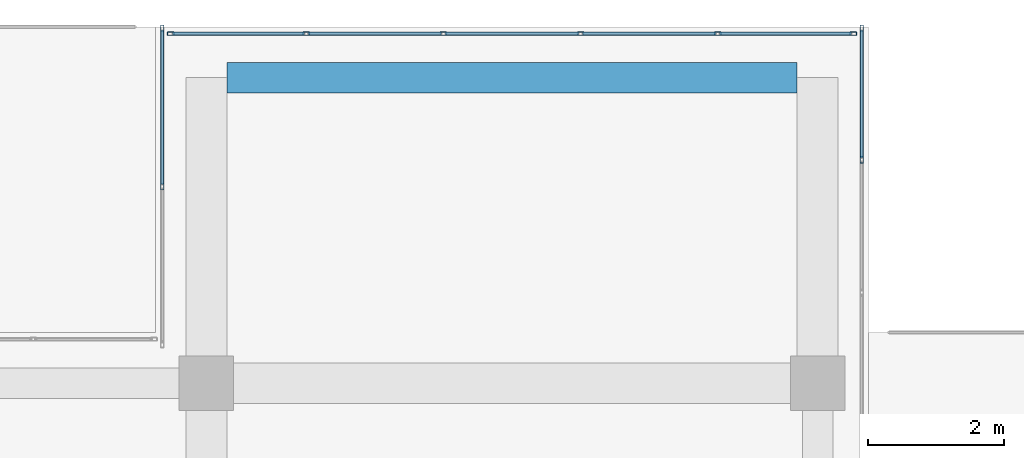
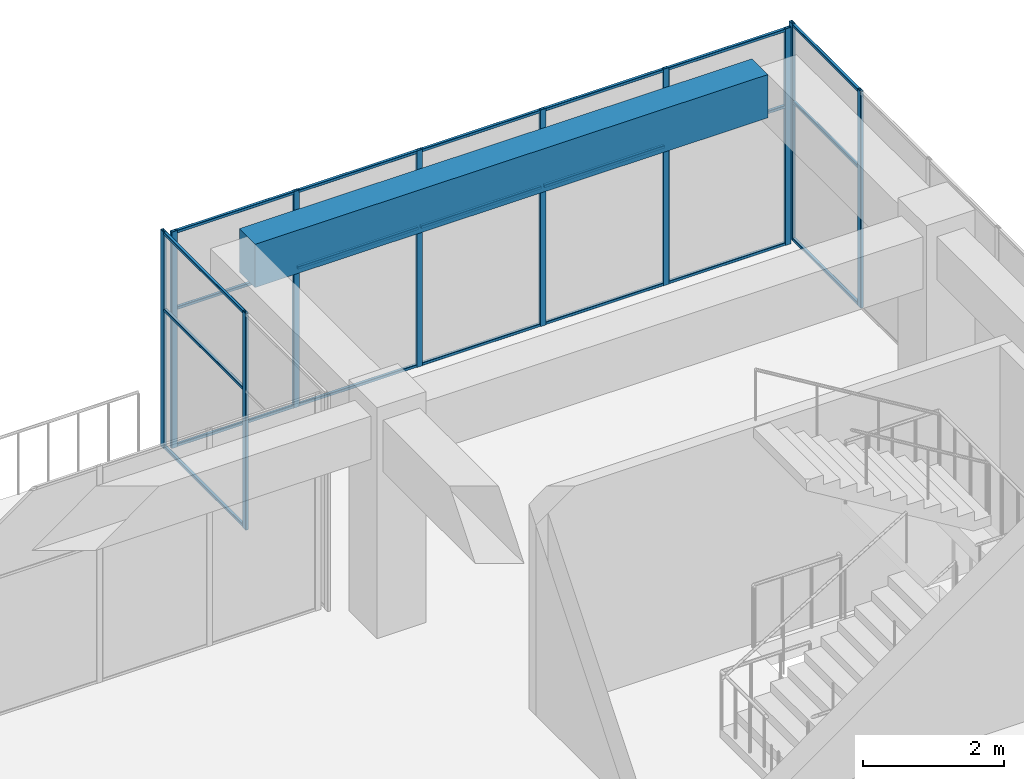
# One storey, part 52 of 81: 31 members, 1 beam, 3 elements without a shape of their own.
"""IFC4 building model written with IfcOpenShell, lengths in metres."""

from ifc_helpers import new_model, si_unit, direction, frame, origin, origin_2d, place, context, subcontext, project, spatial, rectangle, hollow_rectangle, extrude, material, layer, layer_set, material_profile, profile_set, type_object, element, aggregate, save


model = new_model("IFC4")

# Units and contexts
model_context = context("Model", 3, precision=1e-05, world=origin(), true_north=direction((0.0, 1.0)))
body_context = subcontext(model_context, "Body", "Model", "MODEL_VIEW")
ifc_project = project(units=[si_unit("LENGTHUNIT", "METRE"), si_unit("AREAUNIT", "SQUARE_METRE"), si_unit("VOLUMEUNIT", "CUBIC_METRE"), si_unit("PLANEANGLEUNIT", "RADIAN"), si_unit("MASSUNIT", "GRAM", prefix="KILO")], contexts=[model_context])

# Site, building, storey
site_placement = place(None, origin())
site = spatial("IfcSite", under=ifc_project, at=site_placement, CompositionType="ELEMENT")
building_placement = place(site_placement, origin())
building = spatial("IfcBuilding", under=site, at=building_placement, Name="Tuart Plaza Theatre", CompositionType="ELEMENT")
storey_placement = place(building_placement, frame((0.0, 0.0, 17.5)))
storey = spatial("IfcBuildingStorey", under=building, at=storey_placement, Name="L04", CompositionType="ELEMENT", Elevation=17.5)

# Beam
ifc_material_1 = material(Name="Concrete N40 (40 MPa)", Category="concrete")
ifc_material_profile_1 = material_profile(ifc_material_1, rectangle(XDim=0.449951171875, YDim=0.75, at=origin_2d()), Name="BEAM 450x750 Concrete N40 (40 MPa)")
ifc_profile_set_1 = profile_set([ifc_material_profile_1], Name="Concrete N40 (40 MPa)")
beam_type = type_object("IfcBeamType", Name="BEAM 450x750 Concrete N40 (40 MPa)", PredefinedType="BEAM", material=ifc_profile_set_1)
beam_placement = place(storey_placement, frame((132.300048828125, 96.5, 3.375), z_axis=(1.0, 0.0, 0.0), x_axis=(0.0, 1.0, 0.0)))
element("IfcBeam", 1, at=beam_placement, inside=storey, type_object=beam_type, Name="RB227", PredefinedType="BEAM", context=body_context, shape_type="SweptSolid", body=[
    extrude(rectangle(XDim=0.449951171875, YDim=0.75, at=origin_2d()), origin(), (0.0, 0.0, 1.0), 8.39990234375),
])

# Curtain wall, members
ifc_material_2 = material(Name="Aluminium and glass", Category="aluminium")
ifc_layer = layer(ifc_material_2, 0.10009765625)
ifc_layer_set = layer_set([ifc_layer], Name="CURTAIN WALL 2000 module")
curtain_wall_type = type_object("IfcCurtainWallType", Name="CURTAIN WALL 2000 module", PredefinedType="NOTDEFINED", material=ifc_layer_set)
curtain_wall_1_placement = place(storey_placement, origin())
curtain_wall_1 = element("IfcCurtainWall", 2, at=curtain_wall_1_placement, inside=storey, type_object=curtain_wall_type, Name="CW81", PredefinedType="NOTDEFINED")
ifc_material_3 = material(Name="Aluminium 6063-T5", Category="aluminium")
ifc_material_profile_2 = material_profile(ifc_material_3, hollow_rectangle(XDim=0.050048828125, YDim=0.10009765625, WallThickness=0.00390625, InnerFilletRadius=0.00390625, OuterFilletRadius=0.008056640625, at=origin_2d()), Name="RHS 100x50x4")
ifc_profile_set_2 = profile_set([ifc_material_profile_2], Name="Aluminium 6063-T5")
member_type_1 = type_object("IfcMemberType", Name="MULLION RHS 100x50x4", PredefinedType="MULLION", material=ifc_profile_set_2)
member_1_placement = place(storey_placement, frame((141.64990234375, 95.29296875, 0.0), z_axis=(0.0, 0.0, 1.0), x_axis=(-1.0, 0.0, 0.0)))
member_1 = element("IfcMember", 3, at=member_1_placement, type_object=member_type_1, Name="CW81 mullion 7", PredefinedType="MULLION", context=body_context, shape_type="SweptSolid", body=[
    extrude(hollow_rectangle(XDim=0.050048828125, YDim=0.10009765625, WallThickness=0.00390625, InnerFilletRadius=0.00390625, OuterFilletRadius=0.008056640625, at=origin_2d()), origin(), (0.0, 0.0, 1.0), 3.75),
])
member_2_placement = place(storey_placement, frame((141.64990234375, 97.22509765625, 0.0), z_axis=(0.0, 0.0, 1.0), x_axis=(-1.0, 0.0, 0.0)))
member_2 = element("IfcMember", 4, at=member_2_placement, type_object=member_type_1, Name="CW81 mullion 8", PredefinedType="MULLION", context=body_context, shape_type="SweptSolid", body=[
    extrude(hollow_rectangle(XDim=0.050048828125, YDim=0.10009765625, WallThickness=0.00390625, InnerFilletRadius=0.00390625, OuterFilletRadius=0.008056640625, at=origin_2d()), origin(), (0.0, 0.0, 1.0), 3.75),
])

curtain_wall_2_placement = place(storey_placement, origin())
curtain_wall_2 = element("IfcCurtainWall", 5, at=curtain_wall_2_placement, inside=storey, type_object=curtain_wall_type, Name="CW82", PredefinedType="NOTDEFINED")
member_3_placement = place(storey_placement, frame((141.52490234375, 97.14990234375, 0.0), z_axis=(0.0, 0.0, 1.0), x_axis=(0.0, -1.0, 0.0)))
member_3 = element("IfcMember", 6, at=member_3_placement, type_object=member_type_1, Name="CW82 mullion 1", PredefinedType="MULLION", context=body_context, shape_type="SweptSolid", body=[
    extrude(hollow_rectangle(XDim=0.050048828125, YDim=0.10009765625, WallThickness=0.00390625, InnerFilletRadius=0.00390625, OuterFilletRadius=0.008056640625, at=origin_2d()), origin(), (0.0, 0.0, 1.0), 3.75),
])
member_4_placement = place(storey_placement, frame((139.530029296875, 97.14990234375, 0.0), z_axis=(0.0, 0.0, 1.0), x_axis=(0.0, -1.0, 0.0)))
member_4 = element("IfcMember", 7, at=member_4_placement, type_object=member_type_1, Name="CW82 mullion 2", PredefinedType="MULLION", context=body_context, shape_type="SweptSolid", body=[
    extrude(hollow_rectangle(XDim=0.050048828125, YDim=0.10009765625, WallThickness=0.00390625, InnerFilletRadius=0.00390625, OuterFilletRadius=0.008056640625, at=origin_2d()), origin(), (0.0, 0.0, 1.0), 3.75),
])
member_5_placement = place(storey_placement, frame((137.510009765625, 97.14990234375, 0.0), z_axis=(0.0, 0.0, 1.0), x_axis=(0.0, -1.0, 0.0)))
member_5 = element("IfcMember", 8, at=member_5_placement, type_object=member_type_1, Name="CW82 mullion 3", PredefinedType="MULLION", context=body_context, shape_type="SweptSolid", body=[
    extrude(hollow_rectangle(XDim=0.050048828125, YDim=0.10009765625, WallThickness=0.00390625, InnerFilletRadius=0.00390625, OuterFilletRadius=0.008056640625, at=origin_2d()), origin(), (0.0, 0.0, 1.0), 3.75),
])
member_6_placement = place(storey_placement, frame((135.489990234375, 97.14990234375, 0.0), z_axis=(0.0, 0.0, 1.0), x_axis=(0.0, -1.0, 0.0)))
member_6 = element("IfcMember", 9, at=member_6_placement, type_object=member_type_1, Name="CW82 mullion 4", PredefinedType="MULLION", context=body_context, shape_type="SweptSolid", body=[
    extrude(hollow_rectangle(XDim=0.050048828125, YDim=0.10009765625, WallThickness=0.00390625, InnerFilletRadius=0.00390625, OuterFilletRadius=0.008056640625, at=origin_2d()), origin(), (0.0, 0.0, 1.0), 3.75),
])
member_7_placement = place(storey_placement, frame((133.469970703125, 97.14990234375, 0.0), z_axis=(0.0, 0.0, 1.0), x_axis=(0.0, -1.0, 0.0)))
member_7 = element("IfcMember", 10, at=member_7_placement, type_object=member_type_1, Name="CW82 mullion 5", PredefinedType="MULLION", context=body_context, shape_type="SweptSolid", body=[
    extrude(hollow_rectangle(XDim=0.050048828125, YDim=0.10009765625, WallThickness=0.00390625, InnerFilletRadius=0.00390625, OuterFilletRadius=0.008056640625, at=origin_2d()), origin(), (0.0, 0.0, 1.0), 3.75),
])
member_8_placement = place(storey_placement, frame((131.47509765625, 97.14990234375, 0.0), z_axis=(0.0, 0.0, 1.0), x_axis=(0.0, -1.0, 0.0)))
member_8 = element("IfcMember", 11, at=member_8_placement, type_object=member_type_1, Name="CW82 mullion 6", PredefinedType="MULLION", context=body_context, shape_type="SweptSolid", body=[
    extrude(hollow_rectangle(XDim=0.050048828125, YDim=0.10009765625, WallThickness=0.00390625, InnerFilletRadius=0.00390625, OuterFilletRadius=0.008056640625, at=origin_2d()), origin(), (0.0, 0.0, 1.0), 3.75),
])

curtain_wall_3_placement = place(storey_placement, origin())
curtain_wall_3 = element("IfcCurtainWall", 12, at=curtain_wall_3_placement, inside=storey, type_object=curtain_wall_type, Name="CW83", PredefinedType="NOTDEFINED")
member_9_placement = place(storey_placement, frame((131.35009765625, 97.22509765625, 0.0), z_axis=(0.0, 0.0, 1.0), x_axis=(1.0, 0.0, 0.0)))
member_9 = element("IfcMember", 13, at=member_9_placement, type_object=member_type_1, Name="CW83 mullion 1", PredefinedType="MULLION", context=body_context, shape_type="SweptSolid", body=[
    extrude(hollow_rectangle(XDim=0.050048828125, YDim=0.10009765625, WallThickness=0.00390625, InnerFilletRadius=0.00390625, OuterFilletRadius=0.008056640625, at=origin_2d()), origin(), (0.0, 0.0, 1.0), 3.75),
])
member_10_placement = place(storey_placement, frame((131.35009765625, 94.89990234375, 0.0), z_axis=(0.0, 0.0, 1.0), x_axis=(1.0, 0.0, 0.0)))
member_10 = element("IfcMember", 14, at=member_10_placement, type_object=member_type_1, Name="CW83 mullion 2", PredefinedType="MULLION", context=body_context, shape_type="SweptSolid", body=[
    extrude(hollow_rectangle(XDim=0.050048828125, YDim=0.10009765625, WallThickness=0.00390625, InnerFilletRadius=0.00390625, OuterFilletRadius=0.008056640625, at=origin_2d()), origin(), (0.0, 0.0, 1.0), 3.75),
])

# Member
ifc_material_4 = material(Name="Aluminium 6063-T5", Category="aluminium")
ifc_material_profile_3 = material_profile(ifc_material_4, hollow_rectangle(XDim=0.050048828125, YDim=0.050048828125, WallThickness=0.00390625, InnerFilletRadius=0.00390625, OuterFilletRadius=0.008056640625, at=origin_2d()), Name="RHS 50x50x4")
ifc_profile_set_3 = profile_set([ifc_material_profile_3], Name="Aluminium 6063-T5")
member_type_2 = type_object("IfcMemberType", Name="TRANSOM RHS 50x50x4", PredefinedType="USERDEFINED", material=ifc_profile_set_3)
member_11_placement = place(storey_placement, frame((141.64990234375, 95.31787109375, 0.02490234375), z_axis=(0.0, 1.0, 0.0), x_axis=(-1.0, 0.0, 0.0)))
member_11 = element("IfcMember", 15, at=member_11_placement, type_object=member_type_2, Name="CW81 transom 7.1", ObjectType="TRANSOM", PredefinedType="USERDEFINED", context=body_context, shape_type="SweptSolid", body=[
    extrude(hollow_rectangle(XDim=0.050048828125, YDim=0.050048828125, WallThickness=0.00390625, InnerFilletRadius=0.00390625, OuterFilletRadius=0.008056640625, at=origin_2d()), origin(), (0.0, 0.0, 1.0), 1.882080078125),
])

member_12_placement = place(storey_placement, frame((141.64990234375, 95.31787109375, 2.39990234375), z_axis=(0.0, 1.0, 0.0), x_axis=(-1.0, 0.0, 0.0)))
member_12 = element("IfcMember", 16, at=member_12_placement, type_object=member_type_2, Name="CW81 transom 7.2", ObjectType="TRANSOM", PredefinedType="USERDEFINED", context=body_context, shape_type="SweptSolid", body=[
    extrude(hollow_rectangle(XDim=0.050048828125, YDim=0.050048828125, WallThickness=0.00390625, InnerFilletRadius=0.00390625, OuterFilletRadius=0.008056640625, at=origin_2d()), origin(), (0.0, 0.0, 1.0), 1.882080078125),
])

member_13_placement = place(storey_placement, frame((141.64990234375, 95.31787109375, 3.72509765625), z_axis=(0.0, 1.0, 0.0), x_axis=(-1.0, 0.0, 0.0)))
member_13 = element("IfcMember", 17, at=member_13_placement, type_object=member_type_2, Name="CW81 transom 7.3", ObjectType="TRANSOM", PredefinedType="USERDEFINED", context=body_context, shape_type="SweptSolid", body=[
    extrude(hollow_rectangle(XDim=0.050048828125, YDim=0.050048828125, WallThickness=0.00390625, InnerFilletRadius=0.00390625, OuterFilletRadius=0.008056640625, at=origin_2d()), origin(), (0.0, 0.0, 1.0), 1.882080078125),
])

aggregate(curtain_wall_1, [member_1, member_2, member_11, member_12, member_13])

member_14_placement = place(storey_placement, frame((141.5, 97.14990234375, 0.02490234375), z_axis=(-1.0, 0.0, 0.0), x_axis=(0.0, -1.0, 0.0)))
member_14 = element("IfcMember", 18, at=member_14_placement, type_object=member_type_2, Name="CW82 transom 1.1", ObjectType="TRANSOM", PredefinedType="USERDEFINED", context=body_context, shape_type="SweptSolid", body=[
    extrude(hollow_rectangle(XDim=0.050048828125, YDim=0.050048828125, WallThickness=0.00390625, InnerFilletRadius=0.00390625, OuterFilletRadius=0.008056640625, at=origin_2d()), origin(), (0.0, 0.0, 1.0), 1.945068359375),
])

member_15_placement = place(storey_placement, frame((141.5, 97.14990234375, 2.39990234375), z_axis=(-1.0, 0.0, 0.0), x_axis=(0.0, -1.0, 0.0)))
member_15 = element("IfcMember", 19, at=member_15_placement, type_object=member_type_2, Name="CW82 transom 1.2", ObjectType="TRANSOM", PredefinedType="USERDEFINED", context=body_context, shape_type="SweptSolid", body=[
    extrude(hollow_rectangle(XDim=0.050048828125, YDim=0.050048828125, WallThickness=0.00390625, InnerFilletRadius=0.00390625, OuterFilletRadius=0.008056640625, at=origin_2d()), origin(), (0.0, 0.0, 1.0), 1.945068359375),
])

member_16_placement = place(storey_placement, frame((141.5, 97.14990234375, 3.72509765625), z_axis=(-1.0, 0.0, 0.0), x_axis=(0.0, -1.0, 0.0)))
member_16 = element("IfcMember", 20, at=member_16_placement, type_object=member_type_2, Name="CW82 transom 1.3", ObjectType="TRANSOM", PredefinedType="USERDEFINED", context=body_context, shape_type="SweptSolid", body=[
    extrude(hollow_rectangle(XDim=0.050048828125, YDim=0.050048828125, WallThickness=0.00390625, InnerFilletRadius=0.00390625, OuterFilletRadius=0.008056640625, at=origin_2d()), origin(), (0.0, 0.0, 1.0), 1.945068359375),
])

member_17_placement = place(storey_placement, frame((139.5048828125, 97.14990234375, 0.02490234375), z_axis=(-1.0, 0.0, 0.0), x_axis=(0.0, -1.0, 0.0)))
member_17 = element("IfcMember", 21, at=member_17_placement, type_object=member_type_2, Name="CW82 transom 2.1", ObjectType="TRANSOM", PredefinedType="USERDEFINED", context=body_context, shape_type="SweptSolid", body=[
    extrude(hollow_rectangle(XDim=0.050048828125, YDim=0.050048828125, WallThickness=0.00390625, InnerFilletRadius=0.00390625, OuterFilletRadius=0.008056640625, at=origin_2d()), origin(), (0.0, 0.0, 1.0), 1.969970703125),
])

member_18_placement = place(storey_placement, frame((139.5048828125, 97.14990234375, 2.39990234375), z_axis=(-1.0, 0.0, 0.0), x_axis=(0.0, -1.0, 0.0)))
member_18 = element("IfcMember", 22, at=member_18_placement, type_object=member_type_2, Name="CW82 transom 2.2", ObjectType="TRANSOM", PredefinedType="USERDEFINED", context=body_context, shape_type="SweptSolid", body=[
    extrude(hollow_rectangle(XDim=0.050048828125, YDim=0.050048828125, WallThickness=0.00390625, InnerFilletRadius=0.00390625, OuterFilletRadius=0.008056640625, at=origin_2d()), origin(), (0.0, 0.0, 1.0), 1.969970703125),
])

member_19_placement = place(storey_placement, frame((139.5048828125, 97.14990234375, 3.72509765625), z_axis=(-1.0, 0.0, 0.0), x_axis=(0.0, -1.0, 0.0)))
member_19 = element("IfcMember", 23, at=member_19_placement, type_object=member_type_2, Name="CW82 transom 2.3", ObjectType="TRANSOM", PredefinedType="USERDEFINED", context=body_context, shape_type="SweptSolid", body=[
    extrude(hollow_rectangle(XDim=0.050048828125, YDim=0.050048828125, WallThickness=0.00390625, InnerFilletRadius=0.00390625, OuterFilletRadius=0.008056640625, at=origin_2d()), origin(), (0.0, 0.0, 1.0), 1.969970703125),
])

member_20_placement = place(storey_placement, frame((137.485107421875, 97.14990234375, 0.02490234375), z_axis=(-1.0, 0.0, 0.0), x_axis=(0.0, -1.0, 0.0)))
member_20 = element("IfcMember", 24, at=member_20_placement, type_object=member_type_2, Name="CW82 transom 3.1", ObjectType="TRANSOM", PredefinedType="USERDEFINED", context=body_context, shape_type="SweptSolid", body=[
    extrude(hollow_rectangle(XDim=0.050048828125, YDim=0.050048828125, WallThickness=0.00390625, InnerFilletRadius=0.00390625, OuterFilletRadius=0.008056640625, at=origin_2d()), origin(), (0.0, 0.0, 1.0), 1.97021484375),
])

member_21_placement = place(storey_placement, frame((137.485107421875, 97.14990234375, 2.39990234375), z_axis=(-1.0, 0.0, 0.0), x_axis=(0.0, -1.0, 0.0)))
member_21 = element("IfcMember", 25, at=member_21_placement, type_object=member_type_2, Name="CW82 transom 3.2", ObjectType="TRANSOM", PredefinedType="USERDEFINED", context=body_context, shape_type="SweptSolid", body=[
    extrude(hollow_rectangle(XDim=0.050048828125, YDim=0.050048828125, WallThickness=0.00390625, InnerFilletRadius=0.00390625, OuterFilletRadius=0.008056640625, at=origin_2d()), origin(), (0.0, 0.0, 1.0), 1.97021484375),
])

member_22_placement = place(storey_placement, frame((137.485107421875, 97.14990234375, 3.72509765625), z_axis=(-1.0, 0.0, 0.0), x_axis=(0.0, -1.0, 0.0)))
member_22 = element("IfcMember", 26, at=member_22_placement, type_object=member_type_2, Name="CW82 transom 3.3", ObjectType="TRANSOM", PredefinedType="USERDEFINED", context=body_context, shape_type="SweptSolid", body=[
    extrude(hollow_rectangle(XDim=0.050048828125, YDim=0.050048828125, WallThickness=0.00390625, InnerFilletRadius=0.00390625, OuterFilletRadius=0.008056640625, at=origin_2d()), origin(), (0.0, 0.0, 1.0), 1.97021484375),
])

member_23_placement = place(storey_placement, frame((135.465087890625, 97.14990234375, 0.02490234375), z_axis=(-1.0, 0.0, 0.0), x_axis=(0.0, -1.0, 0.0)))
member_23 = element("IfcMember", 27, at=member_23_placement, type_object=member_type_2, Name="CW82 transom 4.1", ObjectType="TRANSOM", PredefinedType="USERDEFINED", context=body_context, shape_type="SweptSolid", body=[
    extrude(hollow_rectangle(XDim=0.050048828125, YDim=0.050048828125, WallThickness=0.00390625, InnerFilletRadius=0.00390625, OuterFilletRadius=0.008056640625, at=origin_2d()), origin(), (0.0, 0.0, 1.0), 1.969970703125),
])

member_24_placement = place(storey_placement, frame((135.465087890625, 97.14990234375, 2.39990234375), z_axis=(-1.0, 0.0, 0.0), x_axis=(0.0, -1.0, 0.0)))
member_24 = element("IfcMember", 28, at=member_24_placement, type_object=member_type_2, Name="CW82 transom 4.2", ObjectType="TRANSOM", PredefinedType="USERDEFINED", context=body_context, shape_type="SweptSolid", body=[
    extrude(hollow_rectangle(XDim=0.050048828125, YDim=0.050048828125, WallThickness=0.00390625, InnerFilletRadius=0.00390625, OuterFilletRadius=0.008056640625, at=origin_2d()), origin(), (0.0, 0.0, 1.0), 1.969970703125),
])

member_25_placement = place(storey_placement, frame((135.465087890625, 97.14990234375, 3.72509765625), z_axis=(-1.0, 0.0, 0.0), x_axis=(0.0, -1.0, 0.0)))
member_25 = element("IfcMember", 29, at=member_25_placement, type_object=member_type_2, Name="CW82 transom 4.3", ObjectType="TRANSOM", PredefinedType="USERDEFINED", context=body_context, shape_type="SweptSolid", body=[
    extrude(hollow_rectangle(XDim=0.050048828125, YDim=0.050048828125, WallThickness=0.00390625, InnerFilletRadius=0.00390625, OuterFilletRadius=0.008056640625, at=origin_2d()), origin(), (0.0, 0.0, 1.0), 1.969970703125),
])

member_26_placement = place(storey_placement, frame((133.445068359375, 97.14990234375, 0.02490234375), z_axis=(-1.0, 0.0, 0.0), x_axis=(0.0, -1.0, 0.0)))
member_26 = element("IfcMember", 30, at=member_26_placement, type_object=member_type_2, Name="CW82 transom 5.1", ObjectType="TRANSOM", PredefinedType="USERDEFINED", context=body_context, shape_type="SweptSolid", body=[
    extrude(hollow_rectangle(XDim=0.050048828125, YDim=0.050048828125, WallThickness=0.00390625, InnerFilletRadius=0.00390625, OuterFilletRadius=0.008056640625, at=origin_2d()), origin(), (0.0, 0.0, 1.0), 1.945068359375),
])

member_27_placement = place(storey_placement, frame((133.445068359375, 97.14990234375, 2.39990234375), z_axis=(-1.0, 0.0, 0.0), x_axis=(0.0, -1.0, 0.0)))
member_27 = element("IfcMember", 31, at=member_27_placement, type_object=member_type_2, Name="CW82 transom 5.2", ObjectType="TRANSOM", PredefinedType="USERDEFINED", context=body_context, shape_type="SweptSolid", body=[
    extrude(hollow_rectangle(XDim=0.050048828125, YDim=0.050048828125, WallThickness=0.00390625, InnerFilletRadius=0.00390625, OuterFilletRadius=0.008056640625, at=origin_2d()), origin(), (0.0, 0.0, 1.0), 1.945068359375),
])

member_28_placement = place(storey_placement, frame((133.445068359375, 97.14990234375, 3.72509765625), z_axis=(-1.0, 0.0, 0.0), x_axis=(0.0, -1.0, 0.0)))
member_28 = element("IfcMember", 32, at=member_28_placement, type_object=member_type_2, Name="CW82 transom 5.3", ObjectType="TRANSOM", PredefinedType="USERDEFINED", context=body_context, shape_type="SweptSolid", body=[
    extrude(hollow_rectangle(XDim=0.050048828125, YDim=0.050048828125, WallThickness=0.00390625, InnerFilletRadius=0.00390625, OuterFilletRadius=0.008056640625, at=origin_2d()), origin(), (0.0, 0.0, 1.0), 1.945068359375),
])

aggregate(curtain_wall_2, [member_3, member_4, member_5, member_6, member_7, member_8, member_14, member_15, member_16, member_17, member_18, member_19, member_20, member_21, member_22, member_23, member_24, member_25, member_26, member_27, member_28])

member_29_placement = place(storey_placement, frame((131.35009765625, 97.199951171875, 0.02490234375), z_axis=(0.0, -1.0, 0.0), x_axis=(1.0, 0.0, 0.0)))
member_29 = element("IfcMember", 33, at=member_29_placement, type_object=member_type_2, Name="CW83 transom 1.1", ObjectType="TRANSOM", PredefinedType="USERDEFINED", context=body_context, shape_type="SweptSolid", body=[
    extrude(hollow_rectangle(XDim=0.050048828125, YDim=0.050048828125, WallThickness=0.00390625, InnerFilletRadius=0.00390625, OuterFilletRadius=0.008056640625, at=origin_2d()), origin(), (0.0, 0.0, 1.0), 2.27490234375),
])

member_30_placement = place(storey_placement, frame((131.35009765625, 97.199951171875, 2.39990234375), z_axis=(0.0, -1.0, 0.0), x_axis=(1.0, 0.0, 0.0)))
member_30 = element("IfcMember", 34, at=member_30_placement, type_object=member_type_2, Name="CW83 transom 1.2", ObjectType="TRANSOM", PredefinedType="USERDEFINED", context=body_context, shape_type="SweptSolid", body=[
    extrude(hollow_rectangle(XDim=0.050048828125, YDim=0.050048828125, WallThickness=0.00390625, InnerFilletRadius=0.00390625, OuterFilletRadius=0.008056640625, at=origin_2d()), origin(), (0.0, 0.0, 1.0), 2.27490234375),
])

member_31_placement = place(storey_placement, frame((131.35009765625, 97.199951171875, 3.72509765625), z_axis=(0.0, -1.0, 0.0), x_axis=(1.0, 0.0, 0.0)))
member_31 = element("IfcMember", 35, at=member_31_placement, type_object=member_type_2, Name="CW83 transom 1.3", ObjectType="TRANSOM", PredefinedType="USERDEFINED", context=body_context, shape_type="SweptSolid", body=[
    extrude(hollow_rectangle(XDim=0.050048828125, YDim=0.050048828125, WallThickness=0.00390625, InnerFilletRadius=0.00390625, OuterFilletRadius=0.008056640625, at=origin_2d()), origin(), (0.0, 0.0, 1.0), 2.27490234375),
])

aggregate(curtain_wall_3, [member_9, member_10, member_29, member_30, member_31])

save(model, "model.ifc")
